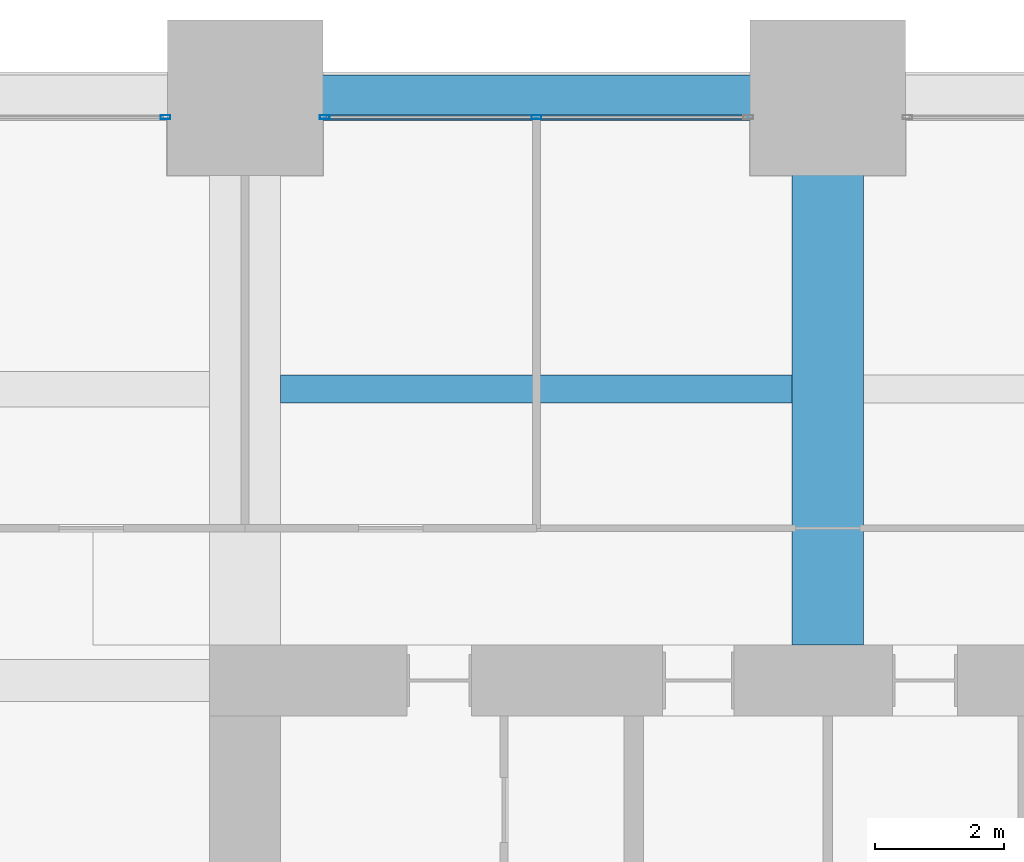
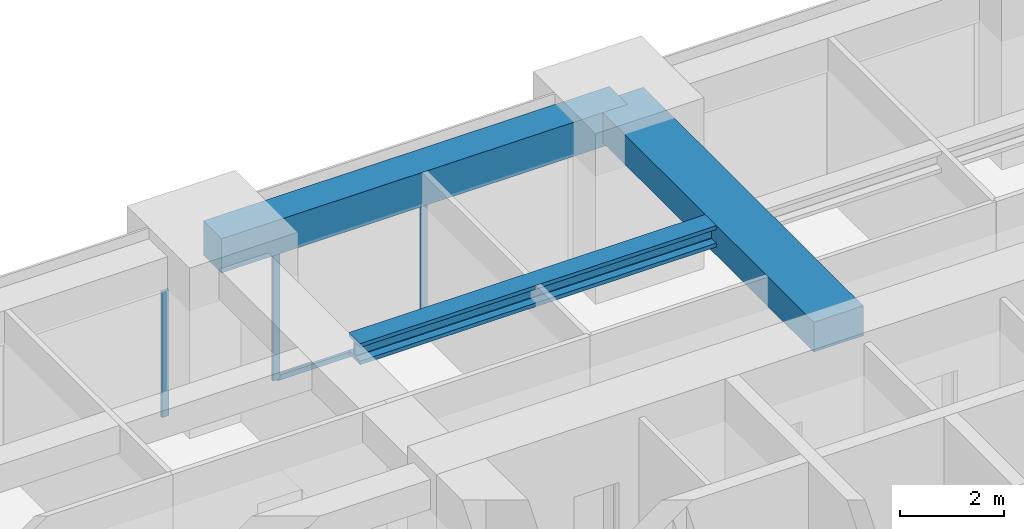
# One storey, part 24 of 33: 4 members, 3 beams, 2 elements without a shape of their own.
"""IFC4 building model written with IfcOpenShell, lengths in metres."""

from ifc_helpers import new_model, si_unit, direction, frame, origin, origin_2d, place, context, subcontext, project, spatial, rectangle, hollow_rectangle, i_section, extrude, material, material_profile, profile_set, type_object, element, aggregate, save


model = new_model("IFC4")

# Units and contexts
model_context = context("Model", 3, precision=1e-05, world=origin(), true_north=direction((0.0, 1.0)))
body_context = subcontext(model_context, "Body", "Model", "MODEL_VIEW")
ifc_project = project(units=[si_unit("LENGTHUNIT", "METRE"), si_unit("AREAUNIT", "SQUARE_METRE"), si_unit("VOLUMEUNIT", "CUBIC_METRE"), si_unit("PLANEANGLEUNIT", "RADIAN"), si_unit("MASSUNIT", "GRAM", prefix="KILO")], contexts=[model_context])

# Site, building, storey
site_placement = place(None, origin())
site = spatial("IfcSite", under=ifc_project, at=site_placement, CompositionType="ELEMENT")
building_placement = place(site_placement, origin())
building = spatial("IfcBuilding", under=site, at=building_placement, Name="Zorevar Civic Tower", CompositionType="ELEMENT")
storey_placement = place(building_placement, frame((0.0, 0.0, 210.199951171875)))
storey = spatial("IfcBuildingStorey", under=building, at=storey_placement, Name="L51", CompositionType="ELEMENT", Elevation=210.199951171875)

# Beam
ifc_material_1 = material(Name="Concrete C50/60", Category="concrete")
ifc_material_profile_1 = material_profile(ifc_material_1, rectangle(XDim=1.10009765625, YDim=0.699951171875, at=origin_2d()), Name="RC 1100x700")
ifc_profile_set_1 = profile_set([ifc_material_profile_1], Name="Concrete C50/60")
beam_type_1 = type_object("IfcBeamType", Name="Beam RC 1100x700", PredefinedType="BEAM", material=ifc_profile_set_1)
beam_1_placement = place(storey_placement, frame((27.0, 36.550048828125, 3.400146484375), z_axis=(0.0, 1.0, 0.0), x_axis=(-1.0, 0.0, 0.0)))
element("IfcBeam", 1, at=beam_1_placement, inside=storey, type_object=beam_type_1, Name="Girder L52", PredefinedType="BEAM", context=body_context, shape_type="SweptSolid", body=[
    extrude(rectangle(XDim=1.10009765625, YDim=0.699951171875, at=origin_2d()), origin(), (0.0, 0.0, 1.0), 8.449951171875),
])

# Curtain wall, member
ifc_material_2 = material(Name="Dark grey solar-control glass in black aluminium frame", Category="aluminium")
curtain_wall_type = type_object("IfcCurtainWallType", Name="Curtain wall CW4 high zone", PredefinedType="NOTDEFINED", material=ifc_material_2)
curtain_wall_1_placement = place(storey_placement, origin())
curtain_wall_1 = element("IfcCurtainWall", 2, at=curtain_wall_1_placement, inside=storey, type_object=curtain_wall_type, Name="CW4 L51", PredefinedType="NOTDEFINED")
ifc_material_3 = material(Name="Aluminium, black anodised", Category="aluminium")
ifc_material_profile_2 = material_profile(ifc_material_3, hollow_rectangle(XDim=0.06005859375, YDim=0.14990234375, WallThickness=0.00390625, at=origin_2d()), Name="AL 150x60x4")
ifc_profile_set_2 = profile_set([ifc_material_profile_2], Name="Aluminium, black anodised")
member_type_1 = type_object("IfcMemberType", Name="CW4 mullion AL 150x60x4", PredefinedType="MULLION", material=ifc_profile_set_2)
member_1_placement = place(storey_placement, frame((16.77001953125, 44.699951171875, 0.0), z_axis=(0.0, 0.0, 1.0), x_axis=(0.0, 1.0, 0.0)))
member_1 = element("IfcMember", 3, at=member_1_placement, type_object=member_type_1, Name="CW4 mullion 3", PredefinedType="MULLION", context=body_context, shape_type="SweptSolid", body=[
    extrude(hollow_rectangle(XDim=0.06005859375, YDim=0.14990234375, WallThickness=0.00390625, at=origin_2d()), origin(), (0.0, 0.0, 1.0), 2.949951171875),
])
aggregate(curtain_wall_1, [member_1])

# Curtain wall, members
curtain_wall_2_placement = place(storey_placement, origin())
curtain_wall_2 = element("IfcCurtainWall", 4, at=curtain_wall_2_placement, inside=storey, type_object=curtain_wall_type, Name="CW4 L51", PredefinedType="NOTDEFINED")
member_2_placement = place(storey_placement, frame((19.22998046875, 44.699951171875, 0.0), z_axis=(0.0, 0.0, 1.0), x_axis=(0.0, 1.0, 0.0)))
member_2 = element("IfcMember", 5, at=member_2_placement, type_object=member_type_1, Name="CW4 mullion 1", PredefinedType="MULLION", context=body_context, shape_type="SweptSolid", body=[
    extrude(hollow_rectangle(XDim=0.06005859375, YDim=0.14990234375, WallThickness=0.00390625, at=origin_2d()), origin(), (0.0, 0.0, 1.0), 2.949951171875),
])
member_3_placement = place(storey_placement, frame((22.5, 44.699951171875, 0.06005859375), z_axis=(0.0, 0.0, 1.0), x_axis=(0.0, 1.0, 0.0)))
member_3 = element("IfcMember", 6, at=member_3_placement, type_object=member_type_1, Name="CW4 mullion 2", PredefinedType="MULLION", context=body_context, shape_type="SweptSolid", body=[
    extrude(hollow_rectangle(XDim=0.06005859375, YDim=0.14990234375, WallThickness=0.00390625, at=origin_2d()), origin(), (0.0, 0.0, 1.0), 2.889892578125),
])
ifc_material_4 = material(Name="Aluminium, black anodised", Category="aluminium")
ifc_material_profile_3 = material_profile(ifc_material_4, hollow_rectangle(XDim=0.06005859375, YDim=0.1201171875, WallThickness=0.0029296875, at=origin_2d()), Name="AL 120x60x3")
ifc_profile_set_3 = profile_set([ifc_material_profile_3], Name="Aluminium, black anodised")
member_type_2 = type_object("IfcMemberType", Name="CW4 transom AL 120x60x3", PredefinedType="USERDEFINED", material=ifc_profile_set_3)
member_4_placement = place(storey_placement, frame((19.260009765625, 44.699951171875, 0.030029296875), z_axis=(1.0, 0.0, 0.0), x_axis=(0.0, 1.0, 0.0)))
member_4 = element("IfcMember", 7, at=member_4_placement, type_object=member_type_2, Name="CW4 sill transom", ObjectType="TRANSOM", PredefinedType="USERDEFINED", context=body_context, shape_type="SweptSolid", body=[
    extrude(hollow_rectangle(XDim=0.06005859375, YDim=0.1201171875, WallThickness=0.0029296875, at=origin_2d()), origin(), (0.0, 0.0, 1.0), 6.47998046875),
])
aggregate(curtain_wall_2, [member_2, member_3, member_4])

# Beams
ifc_material_5 = material(Name="Steel S460M (HISTAR 460)", Category="steel")
ifc_material_profile_4 = material_profile(ifc_material_5, i_section(OverallWidth=0.431884765625, OverallDepth=0.498046875, WebThickness=0.0556640625, FlangeThickness=0.0888671875, FilletRadius=0.014892578125, at=origin_2d()), Name="HD 400x744")
ifc_profile_set_4 = profile_set([ifc_material_profile_4], Name="Steel S460M (HISTAR 460)")
beam_type_2 = type_object("IfcBeamType", Name="Core bay beam HD 400x744", PredefinedType="BEAM", material=ifc_profile_set_4)
beam_2_placement = place(storey_placement, frame((18.550048828125, 40.5, 3.5009765625), z_axis=(1.0, 0.0, 0.0), x_axis=(0.0, 1.0, 0.0)))
element("IfcBeam", 8, at=beam_2_placement, inside=storey, type_object=beam_type_2, Name="Secondary beam L52", PredefinedType="BEAM", context=body_context, shape_type="SweptSolid", body=[
    extrude(i_section(OverallWidth=0.431884765625, OverallDepth=0.498046875, WebThickness=0.0556640625, FlangeThickness=0.0888671875, FilletRadius=0.014892578125, at=origin_2d()), origin(), (0.0, 0.0, 1.0), 7.89990234375),
])
ifc_material_6 = material(Name="Concrete C50/60", Category="concrete")
ifc_material_profile_5 = material_profile(ifc_material_6, rectangle(XDim=0.699951171875, YDim=0.800048828125, at=origin_2d()), Name="RC 700x800")
ifc_profile_set_5 = profile_set([ifc_material_profile_5], Name="Concrete C50/60")
beam_type_3 = type_object("IfcBeamType", Name="Edge beam RC 700x800", PredefinedType="SPANDREL", material=ifc_profile_set_5)
beam_3_placement = place(storey_placement, frame((18.0, 45.0, 3.35009765625), z_axis=(1.0, 0.0, 0.0), x_axis=(0.0, 1.0, 0.0)))
element("IfcBeam", 9, at=beam_3_placement, inside=storey, type_object=beam_type_3, Name="Edge beam L52", PredefinedType="SPANDREL", context=body_context, shape_type="SweptSolid", body=[
    extrude(rectangle(XDim=0.699951171875, YDim=0.800048828125, at=origin_2d()), origin(), (0.0, 0.0, 1.0), 9.0),
])

save(model, "model.ifc")
